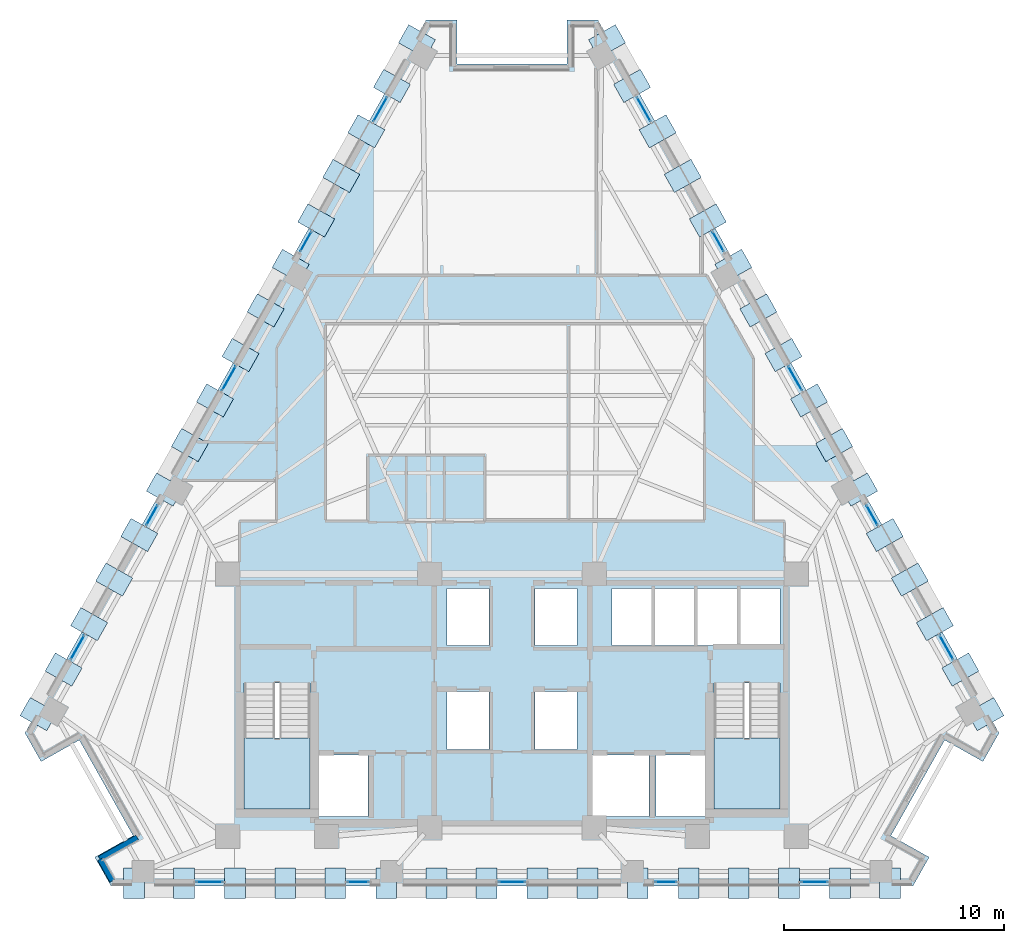
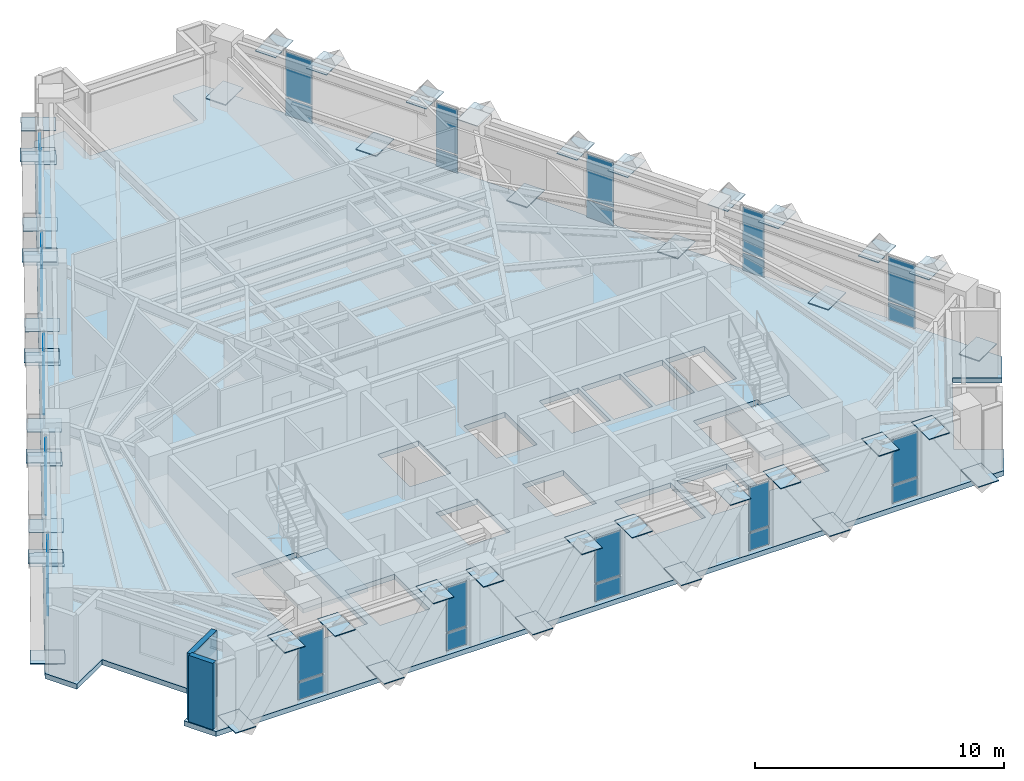
# One storey, part 6 of 13: 78 plates, 3 slabs, 2 walls, 17 elements without a shape of their own.
"""IFC4 building model written with IfcOpenShell, lengths in metres."""

from ifc_helpers import new_model, si_unit, direction, frame, frame_2d, origin, origin_2d, place, context, subcontext, project, spatial, polyline, rectangle, outline, extrude, material, layer, layer_set, type_object, element, aggregate, save


model = new_model("IFC4")

# Units and contexts
model_context = context("Model", 3, precision=1e-05, world=origin(), true_north=direction((0.0, 1.0)))
body_context = subcontext(model_context, "Body", "Model", "MODEL_VIEW")
ifc_project = project(units=[si_unit("LENGTHUNIT", "METRE"), si_unit("AREAUNIT", "SQUARE_METRE"), si_unit("VOLUMEUNIT", "CUBIC_METRE"), si_unit("PLANEANGLEUNIT", "RADIAN"), si_unit("MASSUNIT", "GRAM", prefix="KILO")], contexts=[model_context])

# Site, building, storey
site_placement = place(None, origin())
site = spatial("IfcSite", under=ifc_project, at=site_placement, CompositionType="ELEMENT")
building_placement = place(site_placement, origin())
building = spatial("IfcBuilding", under=site, at=building_placement, Name="Quenlor Broadcast Tower", CompositionType="ELEMENT")
storey_placement = place(building_placement, frame((0.0, 0.0, 161.5)))
storey = spatial("IfcBuildingStorey", under=building, at=storey_placement, Name="L44", CompositionType="ELEMENT", Elevation=161.5)

# Curtain wall, plates
ifc_material_1 = material(Name="Architectural Terracotta and Low-E Glazing", Category="masonry")
curtain_wall_type = type_object("IfcCurtainWallType", Name="Unitised Terracotta Curtain Wall System Z3", PredefinedType="NOTDEFINED", material=ifc_material_1)
curtain_wall_1_placement = place(storey_placement, origin())
curtain_wall_1 = element("IfcCurtainWall", 1, at=curtain_wall_1_placement, inside=storey, type_object=curtain_wall_type, Name="L44 Curtain Wall CW3 (L44-SA-G1)", PredefinedType="NOTDEFINED")
ifc_material_2 = material(Name="Double Glazed Low-E Solar Glass", Category="glass")
ifc_layer_1 = layer(ifc_material_2, 0.028076171875)
ifc_layer_set_1 = layer_set([ifc_layer_1], Name="CW3 Double Glazed Vision Panel 28")
plate_type_1 = type_object("IfcPlateType", Name="CW3 Double Glazed Vision Panel 28", PredefinedType="CURTAIN_PANEL", material=ifc_layer_set_1)
plate_1_placement = place(storey_placement, frame((13.77587890625, -18.824951171875, 0.06982421875), z_axis=(0.0, 0.0, 1.0), x_axis=(-1.0, 0.0, 0.0)))
plate_1 = element("IfcPlate", 2, at=plate_1_placement, type_object=plate_type_1, Name="CW3 panel 1.1", PredefinedType="CURTAIN_PANEL", context=body_context, shape_type="SweptSolid", body=[
    extrude(rectangle(XDim=1.197998046875, YDim=0.028076171875, at=origin_2d()), origin(), (0.0, 0.0, 1.0), 0.844970703125),
])
plate_2_placement = place(storey_placement, frame((13.77587890625, -18.824951171875, 0.98486328125), z_axis=(0.0, 0.0, 1.0), x_axis=(-1.0, 0.0, 0.0)))
plate_2 = element("IfcPlate", 3, at=plate_2_placement, type_object=plate_type_1, Name="CW3 panel 1.2", PredefinedType="CURTAIN_PANEL", context=body_context, shape_type="SweptSolid", body=[
    extrude(rectangle(XDim=1.197998046875, YDim=0.028076171875, at=origin_2d()), origin(), (0.0, 0.0, 1.0), 2.195068359375),
])
aggregate(curtain_wall_1, [plate_1, plate_2])

curtain_wall_2_placement = place(storey_placement, origin())
curtain_wall_2 = element("IfcCurtainWall", 4, at=curtain_wall_2_placement, inside=storey, type_object=curtain_wall_type, Name="L44 Curtain Wall CW3 (L44-SA-G2)", PredefinedType="NOTDEFINED")
plate_3_placement = place(storey_placement, frame((7.011474609375, -18.824951171875, 0.06982421875), z_axis=(0.0, 0.0, 1.0), x_axis=(-1.0, 0.0, 0.0)))
plate_3 = element("IfcPlate", 5, at=plate_3_placement, type_object=plate_type_1, Name="CW3 panel 1.1", PredefinedType="CURTAIN_PANEL", context=body_context, shape_type="SweptSolid", body=[
    extrude(rectangle(XDim=0.950927734375, YDim=0.028076171875, at=origin_2d()), origin(), (0.0, 0.0, 1.0), 0.844970703125),
])
plate_4_placement = place(storey_placement, frame((7.011474609375, -18.824951171875, 0.98486328125), z_axis=(0.0, 0.0, 1.0), x_axis=(-1.0, 0.0, 0.0)))
plate_4 = element("IfcPlate", 6, at=plate_4_placement, type_object=plate_type_1, Name="CW3 panel 1.2", PredefinedType="CURTAIN_PANEL", context=body_context, shape_type="SweptSolid", body=[
    extrude(rectangle(XDim=0.950927734375, YDim=0.028076171875, at=origin_2d()), origin(), (0.0, 0.0, 1.0), 2.195068359375),
])
aggregate(curtain_wall_2, [plate_3, plate_4])

curtain_wall_3_placement = place(storey_placement, origin())
curtain_wall_3 = element("IfcCurtainWall", 7, at=curtain_wall_3_placement, inside=storey, type_object=curtain_wall_type, Name="L44 Curtain Wall CW3 (L44-SC-G1)", PredefinedType="NOTDEFINED")
plate_5_placement = place(storey_placement, frame((-7.011474609375, -18.824951171875, 0.06982421875), z_axis=(0.0, 0.0, 1.0), x_axis=(-1.0, 0.0, 0.0)))
plate_5 = element("IfcPlate", 8, at=plate_5_placement, type_object=plate_type_1, Name="CW3 panel 1.1", PredefinedType="CURTAIN_PANEL", context=body_context, shape_type="SweptSolid", body=[
    extrude(rectangle(XDim=0.950927734375, YDim=0.028076171875, at=origin_2d()), origin(), (0.0, 0.0, 1.0), 0.844970703125),
])
plate_6_placement = place(storey_placement, frame((-7.011474609375, -18.824951171875, 0.98486328125), z_axis=(0.0, 0.0, 1.0), x_axis=(-1.0, 0.0, 0.0)))
plate_6 = element("IfcPlate", 9, at=plate_6_placement, type_object=plate_type_1, Name="CW3 panel 1.2", PredefinedType="CURTAIN_PANEL", context=body_context, shape_type="SweptSolid", body=[
    extrude(rectangle(XDim=0.950927734375, YDim=0.028076171875, at=origin_2d()), origin(), (0.0, 0.0, 1.0), 2.195068359375),
])
aggregate(curtain_wall_3, [plate_5, plate_6])

curtain_wall_4_placement = place(storey_placement, origin())
curtain_wall_4 = element("IfcCurtainWall", 10, at=curtain_wall_4_placement, inside=storey, type_object=curtain_wall_type, Name="L44 Curtain Wall CW3 (L44-SC-G2)", PredefinedType="NOTDEFINED")
plate_7_placement = place(storey_placement, frame((-13.77587890625, -18.824951171875, 0.06982421875), z_axis=(0.0, 0.0, 1.0), x_axis=(-1.0, 0.0, 0.0)))
plate_7 = element("IfcPlate", 11, at=plate_7_placement, type_object=plate_type_1, Name="CW3 panel 1.1", PredefinedType="CURTAIN_PANEL", context=body_context, shape_type="SweptSolid", body=[
    extrude(rectangle(XDim=1.197998046875, YDim=0.028076171875, at=origin_2d()), origin(), (0.0, 0.0, 1.0), 0.844970703125),
])
plate_8_placement = place(storey_placement, frame((-13.77587890625, -18.824951171875, 0.98486328125), z_axis=(0.0, 0.0, 1.0), x_axis=(-1.0, 0.0, 0.0)))
plate_8 = element("IfcPlate", 12, at=plate_8_placement, type_object=plate_type_1, Name="CW3 panel 1.2", PredefinedType="CURTAIN_PANEL", context=body_context, shape_type="SweptSolid", body=[
    extrude(rectangle(XDim=1.197998046875, YDim=0.028076171875, at=origin_2d()), origin(), (0.0, 0.0, 1.0), 2.195068359375),
])
aggregate(curtain_wall_4, [plate_7, plate_8])

curtain_wall_5_placement = place(storey_placement, origin())
curtain_wall_5 = element("IfcCurtainWall", 13, at=curtain_wall_5_placement, inside=storey, type_object=curtain_wall_type, Name="L44 Curtain Wall CW3 (L44-S-G1)", PredefinedType="NOTDEFINED")
plate_9_placement = place(storey_placement, frame((0.0, -18.824951171875, 0.06982421875), z_axis=(0.0, 0.0, 1.0), x_axis=(-1.0, 0.0, 0.0)))
plate_9 = element("IfcPlate", 14, at=plate_9_placement, type_object=plate_type_1, Name="CW3 panel 1.1", PredefinedType="CURTAIN_PANEL", context=body_context, shape_type="SweptSolid", body=[
    extrude(rectangle(XDim=1.197998046875, YDim=0.028076171875, at=origin_2d()), origin(), (0.0, 0.0, 1.0), 0.844970703125),
])
plate_10_placement = place(storey_placement, frame((0.0, -18.824951171875, 0.98486328125), z_axis=(0.0, 0.0, 1.0), x_axis=(-1.0, 0.0, 0.0)))
plate_10 = element("IfcPlate", 15, at=plate_10_placement, type_object=plate_type_1, Name="CW3 panel 1.2", PredefinedType="CURTAIN_PANEL", context=body_context, shape_type="SweptSolid", body=[
    extrude(rectangle(XDim=1.197998046875, YDim=0.028076171875, at=origin_2d()), origin(), (0.0, 0.0, 1.0), 2.195068359375),
])
aggregate(curtain_wall_5, [plate_9, plate_10])

curtain_wall_6_placement = place(storey_placement, origin())
curtain_wall_6 = element("IfcCurtainWall", 16, at=curtain_wall_6_placement, inside=storey, type_object=curtain_wall_type, Name="L44 Curtain Wall CW3 (L44-NEA-G1)", PredefinedType="NOTDEFINED")
plate_11_placement = place(storey_placement, frame((6.00146484375, 16.3740234375, 0.06982421875), z_axis=(0.0, 0.0, 1.0), x_axis=(0.490230492916, -0.871592831439, 0.0)))
plate_11 = element("IfcPlate", 17, at=plate_11_placement, type_object=plate_type_1, Name="CW3 panel 1.1", PredefinedType="CURTAIN_PANEL", context=body_context, shape_type="SweptSolid", body=[
    extrude(rectangle(XDim=1.249755859375, YDim=0.028076171875, at=origin_2d()), origin(), (0.0, 0.0, 1.0), 0.844970703125),
])
plate_12_placement = place(storey_placement, frame((6.00146484375, 16.3740234375, 0.98486328125), z_axis=(0.0, 0.0, 1.0), x_axis=(0.490230492916, -0.871592831439, 0.0)))
plate_12 = element("IfcPlate", 18, at=plate_12_placement, type_object=plate_type_1, Name="CW3 panel 1.2", PredefinedType="CURTAIN_PANEL", context=body_context, shape_type="SweptSolid", body=[
    extrude(rectangle(XDim=1.249755859375, YDim=0.028076171875, at=origin_2d()), origin(), (0.0, 0.0, 1.0), 2.195068359375),
])
aggregate(curtain_wall_6, [plate_11, plate_12])

curtain_wall_7_placement = place(storey_placement, origin())
curtain_wall_7 = element("IfcCurtainWall", 19, at=curtain_wall_7_placement, inside=storey, type_object=curtain_wall_type, Name="L44 Curtain Wall CW3 (L44-NEA-G2)", PredefinedType="NOTDEFINED")
plate_13_placement = place(storey_placement, frame((9.391357421875, 10.34716796875, 0.06982421875), z_axis=(0.0, 0.0, 1.0), x_axis=(0.490215950125, -0.871601010924, 0.0)))
plate_13 = element("IfcPlate", 20, at=plate_13_placement, type_object=plate_type_1, Name="CW3 panel 1.1", PredefinedType="CURTAIN_PANEL", context=body_context, shape_type="SweptSolid", body=[
    extrude(rectangle(XDim=1.01318359375, YDim=0.028076171875, at=origin_2d()), origin(), (0.0, 0.0, 1.0), 0.844970703125),
])
plate_14_placement = place(storey_placement, frame((9.391357421875, 10.34716796875, 0.98486328125), z_axis=(0.0, 0.0, 1.0), x_axis=(0.490215950125, -0.871601010924, 0.0)))
plate_14 = element("IfcPlate", 21, at=plate_14_placement, type_object=plate_type_1, Name="CW3 panel 1.2", PredefinedType="CURTAIN_PANEL", context=body_context, shape_type="SweptSolid", body=[
    extrude(rectangle(XDim=1.01318359375, YDim=0.028076171875, at=origin_2d()), origin(), (0.0, 0.0, 1.0), 2.195068359375),
])
aggregate(curtain_wall_7, [plate_13, plate_14])

curtain_wall_8_placement = place(storey_placement, origin())
curtain_wall_8 = element("IfcCurtainWall", 22, at=curtain_wall_8_placement, inside=storey, type_object=curtain_wall_type, Name="L44 Curtain Wall CW3 (L44-NEC-G1)", PredefinedType="NOTDEFINED")
plate_15_placement = place(storey_placement, frame((16.403564453125, -2.118896484375, 0.06982421875), z_axis=(0.0, 0.0, 1.0), x_axis=(0.490253004657, -0.871580169247, 0.0)))
plate_15 = element("IfcPlate", 23, at=plate_15_placement, type_object=plate_type_1, Name="CW3 panel 1.1", PredefinedType="CURTAIN_PANEL", context=body_context, shape_type="SweptSolid", body=[
    extrude(rectangle(XDim=1.01318359375, YDim=0.028076171875, at=origin_2d()), origin(), (0.0, 0.0, 1.0), 0.844970703125),
])
plate_16_placement = place(storey_placement, frame((16.403564453125, -2.118896484375, 0.98486328125), z_axis=(0.0, 0.0, 1.0), x_axis=(0.490253004657, -0.871580169247, 0.0)))
plate_16 = element("IfcPlate", 24, at=plate_16_placement, type_object=plate_type_1, Name="CW3 panel 1.2", PredefinedType="CURTAIN_PANEL", context=body_context, shape_type="SweptSolid", body=[
    extrude(rectangle(XDim=1.01318359375, YDim=0.028076171875, at=origin_2d()), origin(), (0.0, 0.0, 1.0), 2.195068359375),
])
aggregate(curtain_wall_8, [plate_15, plate_16])

curtain_wall_9_placement = place(storey_placement, origin())
curtain_wall_9 = element("IfcCurtainWall", 25, at=curtain_wall_9_placement, inside=storey, type_object=curtain_wall_type, Name="L44 Curtain Wall CW3 (L44-NEC-G2)", PredefinedType="NOTDEFINED")
plate_17_placement = place(storey_placement, frame((19.793701171875, -8.145751953125, 0.06982421875), z_axis=(0.0, 0.0, 1.0), x_axis=(0.490261239636, -0.871575537123, 0.0)))
plate_17 = element("IfcPlate", 26, at=plate_17_placement, type_object=plate_type_1, Name="CW3 panel 1.1", PredefinedType="CURTAIN_PANEL", context=body_context, shape_type="SweptSolid", body=[
    extrude(rectangle(XDim=1.249755859375, YDim=0.028076171875, at=origin_2d()), origin(), (0.0, 0.0, 1.0), 0.844970703125),
])
plate_18_placement = place(storey_placement, frame((19.793701171875, -8.145751953125, 0.98486328125), z_axis=(0.0, 0.0, 1.0), x_axis=(0.490261239636, -0.871575537123, 0.0)))
plate_18 = element("IfcPlate", 27, at=plate_18_placement, type_object=plate_type_1, Name="CW3 panel 1.2", PredefinedType="CURTAIN_PANEL", context=body_context, shape_type="SweptSolid", body=[
    extrude(rectangle(XDim=1.249755859375, YDim=0.028076171875, at=origin_2d()), origin(), (0.0, 0.0, 1.0), 2.195068359375),
])
aggregate(curtain_wall_9, [plate_17, plate_18])

curtain_wall_10_placement = place(storey_placement, origin())
curtain_wall_10 = element("IfcCurtainWall", 28, at=curtain_wall_10_placement, inside=storey, type_object=curtain_wall_type, Name="L44 Curtain Wall CW3 (L44-NE-G1)", PredefinedType="NOTDEFINED")
plate_19_placement = place(storey_placement, frame((12.8974609375, 4.1142578125, 0.06982421875), z_axis=(0.0, 0.0, 1.0), x_axis=(0.490285152484, -0.871562085714, 0.0)))
plate_19 = element("IfcPlate", 29, at=plate_19_placement, type_object=plate_type_1, Name="CW3 panel 1.1", PredefinedType="CURTAIN_PANEL", context=body_context, shape_type="SweptSolid", body=[
    extrude(rectangle(XDim=1.249755859375, YDim=0.028076171875, at=origin_2d()), origin(), (0.0, 0.0, 1.0), 0.844970703125),
])
plate_20_placement = place(storey_placement, frame((12.8974609375, 4.1142578125, 0.98486328125), z_axis=(0.0, 0.0, 1.0), x_axis=(0.490285152484, -0.871562085714, 0.0)))
plate_20 = element("IfcPlate", 30, at=plate_20_placement, type_object=plate_type_1, Name="CW3 panel 1.2", PredefinedType="CURTAIN_PANEL", context=body_context, shape_type="SweptSolid", body=[
    extrude(rectangle(XDim=1.249755859375, YDim=0.028076171875, at=origin_2d()), origin(), (0.0, 0.0, 1.0), 2.195068359375),
])
aggregate(curtain_wall_10, [plate_19, plate_20])

curtain_wall_11_placement = place(storey_placement, origin())
curtain_wall_11 = element("IfcCurtainWall", 31, at=curtain_wall_11_placement, inside=storey, type_object=curtain_wall_type, Name="L44 Curtain Wall CW3 (L44-NWA-G1)", PredefinedType="NOTDEFINED")
plate_21_placement = place(storey_placement, frame((-19.793701171875, -8.145751953125, 0.06982421875), z_axis=(0.0, 0.0, 1.0), x_axis=(0.490261239636, 0.871575537123, 0.0)))
plate_21 = element("IfcPlate", 32, at=plate_21_placement, type_object=plate_type_1, Name="CW3 panel 1.1", PredefinedType="CURTAIN_PANEL", context=body_context, shape_type="SweptSolid", body=[
    extrude(rectangle(XDim=1.249755859375, YDim=0.028076171875, at=origin_2d()), origin(), (0.0, 0.0, 1.0), 0.844970703125),
])
plate_22_placement = place(storey_placement, frame((-19.793701171875, -8.145751953125, 0.98486328125), z_axis=(0.0, 0.0, 1.0), x_axis=(0.490261239636, 0.871575537123, 0.0)))
plate_22 = element("IfcPlate", 33, at=plate_22_placement, type_object=plate_type_1, Name="CW3 panel 1.2", PredefinedType="CURTAIN_PANEL", context=body_context, shape_type="SweptSolid", body=[
    extrude(rectangle(XDim=1.249755859375, YDim=0.028076171875, at=origin_2d()), origin(), (0.0, 0.0, 1.0), 2.195068359375),
])
aggregate(curtain_wall_11, [plate_21, plate_22])

curtain_wall_12_placement = place(storey_placement, origin())
curtain_wall_12 = element("IfcCurtainWall", 34, at=curtain_wall_12_placement, inside=storey, type_object=curtain_wall_type, Name="L44 Curtain Wall CW3 (L44-NWA-G2)", PredefinedType="NOTDEFINED")
plate_23_placement = place(storey_placement, frame((-16.403564453125, -2.118896484375, 0.06982421875), z_axis=(0.0, 0.0, 1.0), x_axis=(0.490253004657, 0.871580169247, 0.0)))
plate_23 = element("IfcPlate", 35, at=plate_23_placement, type_object=plate_type_1, Name="CW3 panel 1.1", PredefinedType="CURTAIN_PANEL", context=body_context, shape_type="SweptSolid", body=[
    extrude(rectangle(XDim=1.01318359375, YDim=0.028076171875, at=origin_2d()), origin(), (0.0, 0.0, 1.0), 0.844970703125),
])
plate_24_placement = place(storey_placement, frame((-16.403564453125, -2.118896484375, 0.98486328125), z_axis=(0.0, 0.0, 1.0), x_axis=(0.490253004657, 0.871580169247, 0.0)))
plate_24 = element("IfcPlate", 36, at=plate_24_placement, type_object=plate_type_1, Name="CW3 panel 1.2", PredefinedType="CURTAIN_PANEL", context=body_context, shape_type="SweptSolid", body=[
    extrude(rectangle(XDim=1.01318359375, YDim=0.028076171875, at=origin_2d()), origin(), (0.0, 0.0, 1.0), 2.195068359375),
])
aggregate(curtain_wall_12, [plate_23, plate_24])

curtain_wall_13_placement = place(storey_placement, origin())
curtain_wall_13 = element("IfcCurtainWall", 37, at=curtain_wall_13_placement, inside=storey, type_object=curtain_wall_type, Name="L44 Curtain Wall CW3 (L44-NWC-G1)", PredefinedType="NOTDEFINED")
plate_25_placement = place(storey_placement, frame((-9.391357421875, 10.34716796875, 0.06982421875), z_axis=(0.0, 0.0, 1.0), x_axis=(0.490215950125, 0.871601010924, 0.0)))
plate_25 = element("IfcPlate", 38, at=plate_25_placement, type_object=plate_type_1, Name="CW3 panel 1.1", PredefinedType="CURTAIN_PANEL", context=body_context, shape_type="SweptSolid", body=[
    extrude(rectangle(XDim=1.01318359375, YDim=0.028076171875, at=origin_2d()), origin(), (0.0, 0.0, 1.0), 0.844970703125),
])
plate_26_placement = place(storey_placement, frame((-9.391357421875, 10.34716796875, 0.98486328125), z_axis=(0.0, 0.0, 1.0), x_axis=(0.490215950125, 0.871601010924, 0.0)))
plate_26 = element("IfcPlate", 39, at=plate_26_placement, type_object=plate_type_1, Name="CW3 panel 1.2", PredefinedType="CURTAIN_PANEL", context=body_context, shape_type="SweptSolid", body=[
    extrude(rectangle(XDim=1.01318359375, YDim=0.028076171875, at=origin_2d()), origin(), (0.0, 0.0, 1.0), 2.195068359375),
])
aggregate(curtain_wall_13, [plate_25, plate_26])

curtain_wall_14_placement = place(storey_placement, origin())
curtain_wall_14 = element("IfcCurtainWall", 40, at=curtain_wall_14_placement, inside=storey, type_object=curtain_wall_type, Name="L44 Curtain Wall CW3 (L44-NWC-G2)", PredefinedType="NOTDEFINED")
plate_27_placement = place(storey_placement, frame((-6.00146484375, 16.3740234375, 0.06982421875), z_axis=(0.0, 0.0, 1.0), x_axis=(0.490230492916, 0.871592831439, 0.0)))
plate_27 = element("IfcPlate", 41, at=plate_27_placement, type_object=plate_type_1, Name="CW3 panel 1.1", PredefinedType="CURTAIN_PANEL", context=body_context, shape_type="SweptSolid", body=[
    extrude(rectangle(XDim=1.249755859375, YDim=0.028076171875, at=origin_2d()), origin(), (0.0, 0.0, 1.0), 0.844970703125),
])
plate_28_placement = place(storey_placement, frame((-6.00146484375, 16.3740234375, 0.98486328125), z_axis=(0.0, 0.0, 1.0), x_axis=(0.490230492916, 0.871592831439, 0.0)))
plate_28 = element("IfcPlate", 42, at=plate_28_placement, type_object=plate_type_1, Name="CW3 panel 1.2", PredefinedType="CURTAIN_PANEL", context=body_context, shape_type="SweptSolid", body=[
    extrude(rectangle(XDim=1.249755859375, YDim=0.028076171875, at=origin_2d()), origin(), (0.0, 0.0, 1.0), 2.195068359375),
])
aggregate(curtain_wall_14, [plate_27, plate_28])

curtain_wall_15_placement = place(storey_placement, origin())
curtain_wall_15 = element("IfcCurtainWall", 43, at=curtain_wall_15_placement, inside=storey, type_object=curtain_wall_type, Name="L44 Curtain Wall CW3 (L44-NW-G1)", PredefinedType="NOTDEFINED")
plate_29_placement = place(storey_placement, frame((-12.8974609375, 4.1142578125, 0.06982421875), z_axis=(0.0, 0.0, 1.0), x_axis=(0.490285152484, 0.871562085714, 0.0)))
plate_29 = element("IfcPlate", 44, at=plate_29_placement, type_object=plate_type_1, Name="CW3 panel 1.1", PredefinedType="CURTAIN_PANEL", context=body_context, shape_type="SweptSolid", body=[
    extrude(rectangle(XDim=1.249755859375, YDim=0.028076171875, at=origin_2d()), origin(), (0.0, 0.0, 1.0), 0.844970703125),
])
plate_30_placement = place(storey_placement, frame((-12.8974609375, 4.1142578125, 0.98486328125), z_axis=(0.0, 0.0, 1.0), x_axis=(0.490285152484, 0.871562085714, 0.0)))
plate_30 = element("IfcPlate", 45, at=plate_30_placement, type_object=plate_type_1, Name="CW3 panel 1.2", PredefinedType="CURTAIN_PANEL", context=body_context, shape_type="SweptSolid", body=[
    extrude(rectangle(XDim=1.249755859375, YDim=0.028076171875, at=origin_2d()), origin(), (0.0, 0.0, 1.0), 2.195068359375),
])
aggregate(curtain_wall_15, [plate_29, plate_30])

# Stair, slab
ifc_material_3 = material(Name="Precast concrete C40/50", Category="concrete")
stair_type = type_object("IfcStairType", Name="Precast Concrete C40/50 Dogleg Stair H350", PredefinedType="HALF_TURN_STAIR", material=ifc_material_3)
stair_1_placement = place(storey_placement, origin())
stair_1 = element("IfcStair", 46, at=stair_1_placement, inside=storey, type_object=stair_type, Name="L44 West Core Fire-Isolated Exit Stair ST-1", PredefinedType="HALF_TURN_STAIR")
ifc_material_4 = material(Name="Precast concrete C40/50", Category="concrete")
ifc_layer_2 = layer(ifc_material_4, 0.199951171875)
ifc_layer_set_2 = layer_set([ifc_layer_2], Name="Precast Concrete C40/50 Stair Landing Slab 200")
slab_type_1 = type_object("IfcSlabType", Name="Precast Concrete C40/50 Stair Landing Slab 200", PredefinedType="LANDING", material=ifc_layer_set_2)
slab_1_placement = place(storey_placement, frame((0.0, 0.0, 1.550048828125)))
slab_1 = element("IfcSlab", 47, at=slab_1_placement, type_object=slab_type_1, Name="ST-1 landing 1", PredefinedType="LANDING", context=body_context, shape_type="SweptSolid", body=[
    extrude(outline(polyline([(-12.199951171875, -12.27001953125), (-12.199951171875, -15.5), (-9.199951171875, -15.5), (-9.199951171875, -12.27001953125), (-12.199951171875, -12.27001953125)])), origin(), (0.0, 0.0, 1.0), 0.199951171875),
])
aggregate(stair_1, [slab_1])

stair_2_placement = place(storey_placement, origin())
stair_2 = element("IfcStair", 48, at=stair_2_placement, inside=storey, type_object=stair_type, Name="L44 East Core Fire-Isolated Exit Stair ST-2", PredefinedType="HALF_TURN_STAIR")
slab_2_placement = place(storey_placement, frame((0.0, 0.0, 1.550048828125)))
slab_2 = element("IfcSlab", 49, at=slab_2_placement, type_object=slab_type_1, Name="ST-2 landing 1", PredefinedType="LANDING", context=body_context, shape_type="SweptSolid", body=[
    extrude(outline(polyline([(9.199951171875, -12.27001953125), (9.199951171875, -15.5), (12.199951171875, -15.5), (12.199951171875, -12.27001953125), (9.199951171875, -12.27001953125)])), origin(), (0.0, 0.0, 1.0), 0.199951171875),
])
aggregate(stair_2, [slab_2])

# Slab
ifc_material_5 = material(Name="Concrete C40/50", Category="concrete")
ifc_layer_3 = layer(ifc_material_5, 0.25)
ifc_layer_set_3 = layer_set([ifc_layer_3], Name="Tower Composite Concrete C40/50 Slab 250")
slab_type_2 = type_object("IfcSlabType", Name="Tower Composite Concrete C40/50 Slab 250", PredefinedType="FLOOR", material=ifc_layer_set_3)
slab_3_placement = place(storey_placement, frame((0.0, 0.0, -0.25)))
element("IfcSlab", 50, at=slab_3_placement, inside=storey, type_object=slab_type_2, Name="L44 Structural Floor Slab", PredefinedType="FLOOR", context=body_context, shape_type="SweptSolid", body=[
    extrude(outline(polyline([(18.27001953125, -19.0), (19.001708984375, -17.698974609375), (17.2587890625, -16.718505859375), (19.7099609375, -12.360595703125), (21.453125, -13.341064453125), (22.18505859375, -12.0400390625), (3.9150390625, 20.43994140625), (2.5, 20.43994140625), (2.5, 18.43994140625), (-2.5, 18.43994140625), (-2.5, 20.43994140625), (-3.9150390625, 20.43994140625), (-22.18505859375, -12.0400390625), (-21.453125, -13.341064453125), (-19.7099609375, -12.360595703125), (-17.2587890625, -16.718505859375), (-19.001708984375, -17.698974609375), (-18.27001953125, -19.0), (18.27001953125, -19.0)]), holes=[polyline([(-12.199951171875, -9.758056640625), (-12.199951171875, -15.5), (-9.199951171875, -15.5), (-9.199951171875, -9.758056640625), (-12.199951171875, -9.758056640625)]), polyline([(9.199951171875, -9.758056640625), (9.199951171875, -15.5), (12.199951171875, -15.5), (12.199951171875, -9.758056640625), (9.199951171875, -9.758056640625)]), polyline([(-2.949951171875, -8.050048828125), (-1.050048828125, -8.050048828125), (-1.050048828125, -5.449951171875), (-2.949951171875, -5.449951171875), (-2.949951171875, -8.050048828125)]), polyline([(1.050048828125, -8.050048828125), (2.949951171875, -8.050048828125), (2.949951171875, -5.449951171875), (1.050048828125, -5.449951171875), (1.050048828125, -8.050048828125)]), polyline([(-2.949951171875, -12.800048828125), (-1.050048828125, -12.800048828125), (-1.050048828125, -10.14990234375), (-2.949951171875, -10.14990234375), (-2.949951171875, -12.800048828125)]), polyline([(1.050048828125, -12.800048828125), (2.949951171875, -12.800048828125), (2.949951171875, -10.14990234375), (1.050048828125, -10.14990234375), (1.050048828125, -12.800048828125)]), polyline([(4.550048828125, -8.050048828125), (6.35009765625, -8.050048828125), (6.35009765625, -5.449951171875), (4.550048828125, -5.449951171875), (4.550048828125, -8.050048828125)]), polyline([(6.5, -8.050048828125), (8.300048828125, -8.050048828125), (8.300048828125, -5.449951171875), (6.5, -5.449951171875), (6.5, -8.050048828125)]), polyline([(8.449951171875, -8.050048828125), (10.25, -8.050048828125), (10.25, -5.449951171875), (8.449951171875, -5.449951171875), (8.449951171875, -8.050048828125)]), polyline([(10.39990234375, -8.050048828125), (12.199951171875, -8.050048828125), (12.199951171875, -5.449951171875), (10.39990234375, -5.449951171875), (10.39990234375, -8.050048828125)]), polyline([(-8.85009765625, -15.85009765625), (-6.550048828125, -15.85009765625), (-6.550048828125, -13.050048828125), (-8.85009765625, -13.050048828125), (-8.85009765625, -15.85009765625)]), polyline([(6.550048828125, -15.85009765625), (8.85009765625, -15.85009765625), (8.85009765625, -13.050048828125), (6.550048828125, -13.050048828125), (6.550048828125, -15.85009765625)]), polyline([(3.64990234375, -15.85009765625), (6.25, -15.85009765625), (6.25, -13.050048828125), (3.64990234375, -13.050048828125), (3.64990234375, -15.85009765625)])]), origin(), (0.0, 0.0, 1.0), 0.25),
])

# Plates
ifc_material_6 = material(Name="Steel S355", Category="steel")
ifc_layer_4 = layer(ifc_material_6, 0.035888671875)
ifc_layer_set_4 = layer_set([ifc_layer_4], Name="Transfer Truss Steel S355 Gusset Node Plate 1400x950x36")
plate_type_2 = type_object("IfcPlateType", Name="Transfer Truss Steel S355 Gusset Node Plate 1400x950x36", PredefinedType="SHEET", material=ifc_layer_set_4)
for number, where, z_axis, x_axis, name in (
    (51, (17.219970703125, -18.885009765625, 0.0419921875), (0.0, 0.0, 1.0), (0.0, -1.0, 0.0), "L44 Lattice Tie Gusset Node S-B0"),
    (52, (14.937744140625, -18.885009765625, 3.18212890625), (0.0, 0.0, 1.0), (0.0, -1.0, 0.0), "L44 Lattice Tie Gusset Node S-T1"),
    (53, (10.33203125, -18.885009765625, 0.0419921875), (0.0, 0.0, 1.0), (0.0, -1.0, 0.0), "L44 Lattice Tie Gusset Node S-B3"),
    (54, (12.6142578125, -18.885009765625, 3.18212890625), (0.0, 0.0, 1.0), (0.0, -1.0, 0.0), "L44 Lattice Tie Gusset Node S-T2"),
    (55, (8.0498046875, -18.885009765625, 3.18212890625), (0.0, 0.0, 1.0), (0.0, -1.0, 0.0), "L44 Lattice Tie Gusset Node S-T4"),
    (56, (3.444091796875, -18.885009765625, 0.0419921875), (0.0, 0.0, 1.0), (0.0, -1.0, 0.0), "L44 Lattice Tie Gusset Node S-B6"),
    (57, (5.726318359375, -18.885009765625, 3.18212890625), (0.0, 0.0, 1.0), (0.0, -1.0, 0.0), "L44 Lattice Tie Gusset Node S-T5"),
    (58, (1.161865234375, -18.885009765625, 3.18212890625), (0.0, 0.0, 1.0), (0.0, -1.0, 0.0), "L44 Lattice Tie Gusset Node S-T7"),
    (59, (-3.444091796875, -18.885009765625, 0.0419921875), (0.0, 0.0, 1.0), (0.0, -1.0, 0.0), "L44 Lattice Tie Gusset Node S-B9"),
    (60, (-1.161865234375, -18.885009765625, 3.18212890625), (0.0, 0.0, 1.0), (0.0, -1.0, 0.0), "L44 Lattice Tie Gusset Node S-T8"),
    (61, (-5.726318359375, -18.885009765625, 3.18212890625), (0.0, 0.0, 1.0), (0.0, -1.0, 0.0), "L44 Lattice Tie Gusset Node S-T10"),
    (62, (-10.33203125, -18.885009765625, 0.0419921875), (0.0, 0.0, 1.0), (0.0, -1.0, 0.0), "L44 Lattice Tie Gusset Node S-B12"),
    (63, (-8.0498046875, -18.885009765625, 3.18212890625), (0.0, 0.0, 1.0), (0.0, -1.0, 0.0), "L44 Lattice Tie Gusset Node S-T11"),
    (64, (-12.6142578125, -18.885009765625, 3.18212890625), (0.0, 0.0, 1.0), (0.0, -1.0, 0.0), "L44 Lattice Tie Gusset Node S-T13"),
    (65, (-17.219970703125, -18.885009765625, 0.0419921875), (0.0, 0.0, 1.0), (0.0, -1.0, 0.0), "L44 Lattice Tie Gusset Node S-B15"),
    (66, (-14.937744140625, -18.885009765625, 3.18212890625), (0.0, 0.0, 1.0), (0.0, -1.0, 0.0), "L44 Lattice Tie Gusset Node S-T14"),
    (67, (4.32958984375, 19.468505859375, 0.0419921875), (0.0, 0.0, 1.0), (0.871556314255, 0.490295412055, 0.0), "L44 Lattice Tie Gusset Node NE-B0"),
    (68, (5.471923828125, 17.4375, 3.18212890625), (0.0, 0.0, 1.0), (0.871556314255, 0.490295412055, 0.0), "L44 Lattice Tie Gusset Node NE-T1"),
    (69, (7.777587890625, 13.33837890625, 0.0419921875), (0.0, 0.0, 1.0), (0.871556314255, 0.490295412055, 0.0), "L44 Lattice Tie Gusset Node NE-B3"),
    (70, (6.63525390625, 15.36962890625, 3.18212890625), (0.0, 0.0, 1.0), (0.871556314255, 0.490295412055, 0.0), "L44 Lattice Tie Gusset Node NE-T2"),
    (71, (8.920166015625, 11.3076171875, 3.18212890625), (0.0, 0.0, 1.0), (0.871556314255, 0.490295412055, 0.0), "L44 Lattice Tie Gusset Node NE-T4"),
    (72, (11.2255859375, 7.20849609375, 0.0419921875), (0.0, 0.0, 1.0), (0.871556314255, 0.490295412055, 0.0), "L44 Lattice Tie Gusset Node NE-B6"),
    (73, (10.083251953125, 9.239501953125, 3.18212890625), (0.0, 0.0, 1.0), (0.871556314255, 0.490295412055, 0.0), "L44 Lattice Tie Gusset Node NE-T5"),
    (74, (12.3681640625, 5.177490234375, 3.18212890625), (0.0, 0.0, 1.0), (0.871556314255, 0.490295412055, 0.0), "L44 Lattice Tie Gusset Node NE-T7"),
    (75, (14.673828125, 1.07861328125, 0.0419921875), (0.0, 0.0, 1.0), (0.871556314255, 0.490295412055, 0.0), "L44 Lattice Tie Gusset Node NE-B9"),
    (76, (13.531494140625, 3.109619140625, 3.18212890625), (0.0, 0.0, 1.0), (0.871556314255, 0.490295412055, 0.0), "L44 Lattice Tie Gusset Node NE-T8"),
    (77, (15.81640625, -0.952392578125, 3.18212890625), (0.0, 0.0, 1.0), (0.871556314255, 0.490295412055, 0.0), "L44 Lattice Tie Gusset Node NE-T10"),
    (78, (18.121826171875, -5.05126953125, 0.0419921875), (0.0, 0.0, 1.0), (0.871556314255, 0.490295412055, 0.0), "L44 Lattice Tie Gusset Node NE-B12"),
    (79, (16.9794921875, -3.020263671875, 3.18212890625), (0.0, 0.0, 1.0), (0.871556314255, 0.490295412055, 0.0), "L44 Lattice Tie Gusset Node NE-T11"),
    (80, (19.264404296875, -7.082275390625, 3.18212890625), (0.0, 0.0, 1.0), (0.871556314255, 0.490295412055, 0.0), "L44 Lattice Tie Gusset Node NE-T13"),
    (81, (21.570068359375, -11.18115234375, 0.0419921875), (0.0, 0.0, 1.0), (0.871556314255, 0.490295412055, 0.0), "L44 Lattice Tie Gusset Node NE-B15"),
    (82, (20.427490234375, -9.150146484375, 3.18212890625), (0.0, 0.0, 1.0), (0.871556314255, 0.490295412055, 0.0), "L44 Lattice Tie Gusset Node NE-T14"),
    (83, (-21.570068359375, -11.18115234375, 0.0419921875), (0.0, 0.0, 1.0), (-0.871556314255, 0.490295412055, 0.0), "L44 Lattice Tie Gusset Node NW-B0"),
    (84, (-20.427490234375, -9.150146484375, 3.18212890625), (0.0, 0.0, 1.0), (-0.871556314255, 0.490295412055, 0.0), "L44 Lattice Tie Gusset Node NW-T1"),
    (85, (-18.121826171875, -5.05126953125, 0.0419921875), (0.0, 0.0, 1.0), (-0.871556314255, 0.490295412055, 0.0), "L44 Lattice Tie Gusset Node NW-B3"),
    (86, (-19.264404296875, -7.082275390625, 3.18212890625), (0.0, 0.0, 1.0), (-0.871556314255, 0.490295412055, 0.0), "L44 Lattice Tie Gusset Node NW-T2"),
    (87, (-16.9794921875, -3.020263671875, 3.18212890625), (0.0, 0.0, 1.0), (-0.871556314255, 0.490295412055, 0.0), "L44 Lattice Tie Gusset Node NW-T4"),
    (88, (-14.673828125, 1.07861328125, 0.0419921875), (0.0, 0.0, 1.0), (-0.871556314255, 0.490295412055, 0.0), "L44 Lattice Tie Gusset Node NW-B6"),
    (89, (-15.81640625, -0.952392578125, 3.18212890625), (0.0, 0.0, 1.0), (-0.871556314255, 0.490295412055, 0.0), "L44 Lattice Tie Gusset Node NW-T5"),
    (90, (-13.531494140625, 3.109619140625, 3.18212890625), (0.0, 0.0, 1.0), (-0.871556314255, 0.490295412055, 0.0), "L44 Lattice Tie Gusset Node NW-T7"),
    (91, (-11.2255859375, 7.20849609375, 0.0419921875), (0.0, 0.0, 1.0), (-0.871556314255, 0.490295412055, 0.0), "L44 Lattice Tie Gusset Node NW-B9"),
    (92, (-12.3681640625, 5.177490234375, 3.18212890625), (0.0, 0.0, 1.0), (-0.871556314255, 0.490295412055, 0.0), "L44 Lattice Tie Gusset Node NW-T8"),
    (93, (-10.083251953125, 9.239501953125, 3.18212890625), (0.0, 0.0, 1.0), (-0.871556314255, 0.490295412055, 0.0), "L44 Lattice Tie Gusset Node NW-T10"),
    (94, (-7.777587890625, 13.33837890625, 0.0419921875), (0.0, 0.0, 1.0), (-0.871556314255, 0.490295412055, 0.0), "L44 Lattice Tie Gusset Node NW-B12"),
    (95, (-8.920166015625, 11.3076171875, 3.18212890625), (0.0, 0.0, 1.0), (-0.871556314255, 0.490295412055, 0.0), "L44 Lattice Tie Gusset Node NW-T11"),
    (96, (-6.63525390625, 15.36962890625, 3.18212890625), (0.0, 0.0, 1.0), (-0.871556314255, 0.490295412055, 0.0), "L44 Lattice Tie Gusset Node NW-T13"),
    (97, (-4.32958984375, 19.468505859375, 0.0419921875), (0.0, 0.0, 1.0), (-0.871556314255, 0.490295412055, 0.0), "L44 Lattice Tie Gusset Node NW-B15"),
    (98, (-5.471923828125, 17.4375, 3.18212890625), (0.0, 0.0, 1.0), (-0.871556314255, 0.490295412055, 0.0), "L44 Lattice Tie Gusset Node NW-T14"),
):
    element("IfcPlate", number, at=place(storey_placement, frame(where, z_axis=z_axis, x_axis=x_axis)), inside=storey, type_object=plate_type_2, Name=name, PredefinedType="SHEET", context=body_context, shape_type="SweptSolid", body=[
        extrude(rectangle(XDim=1.39990234375, YDim=0.949951171875, at=origin_2d()), origin(), (0.0, 0.0, 1.0), 0.035888671875),
    ])

# Walls
ifc_material_7 = material(Name="Precast concrete C40/50", Category="concrete")
ifc_layer_5 = layer(ifc_material_7, 0.239990234375)
ifc_layer_set_5 = layer_set([ifc_layer_5], Name="Terrace Threshold Precast Concrete C40/50 Wall 240")
wall_type = type_object("IfcWallType", Name="Terrace Threshold Precast Concrete C40/50 Wall 240", PredefinedType="STANDARD", material=ifc_layer_set_5)
wall_1_placement = place(storey_placement, frame((-17.07568359375, -16.799072265625, 0.0), z_axis=(0.0, 0.0, 1.0), x_axis=(-0.871565557139, -0.490278981406, 0.0)))
element("IfcWall", 99, at=wall_1_placement, inside=storey, type_object=wall_type, Name="L44 Exterior Wall L44-CNR-15", PredefinedType="STANDARD", context=body_context, shape_type="SweptSolid", body=[
    extrude(rectangle(XDim=1.9599609375, YDim=0.239990234375, at=frame_2d((0.97998046875, 0.0))), origin(), (0.0, 0.0, 1.0), 3.25),
])
wall_2_placement = place(storey_placement, frame((-18.764404296875, -17.794921875, 0.0), z_axis=(0.0, 0.0, 1.0), x_axis=(0.490353621339, -0.871523565969, 0.0)))
element("IfcWall", 100, at=wall_2_placement, inside=storey, type_object=wall_type, Name="L44 Exterior Wall L44-CNR-16", PredefinedType="STANDARD", context=body_context, shape_type="SweptSolid", body=[
    extrude(rectangle(XDim=1.129150390625, YDim=0.239990234375, at=frame_2d((0.564453125, 0.0))), origin(), (0.0, 0.0, 1.0), 3.25),
])

save(model, "model.ifc")
